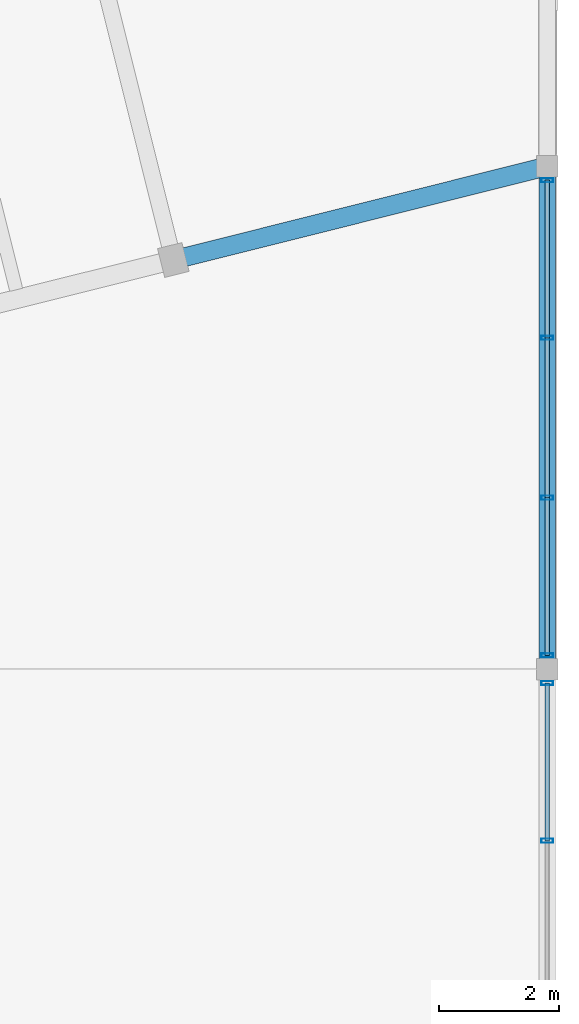
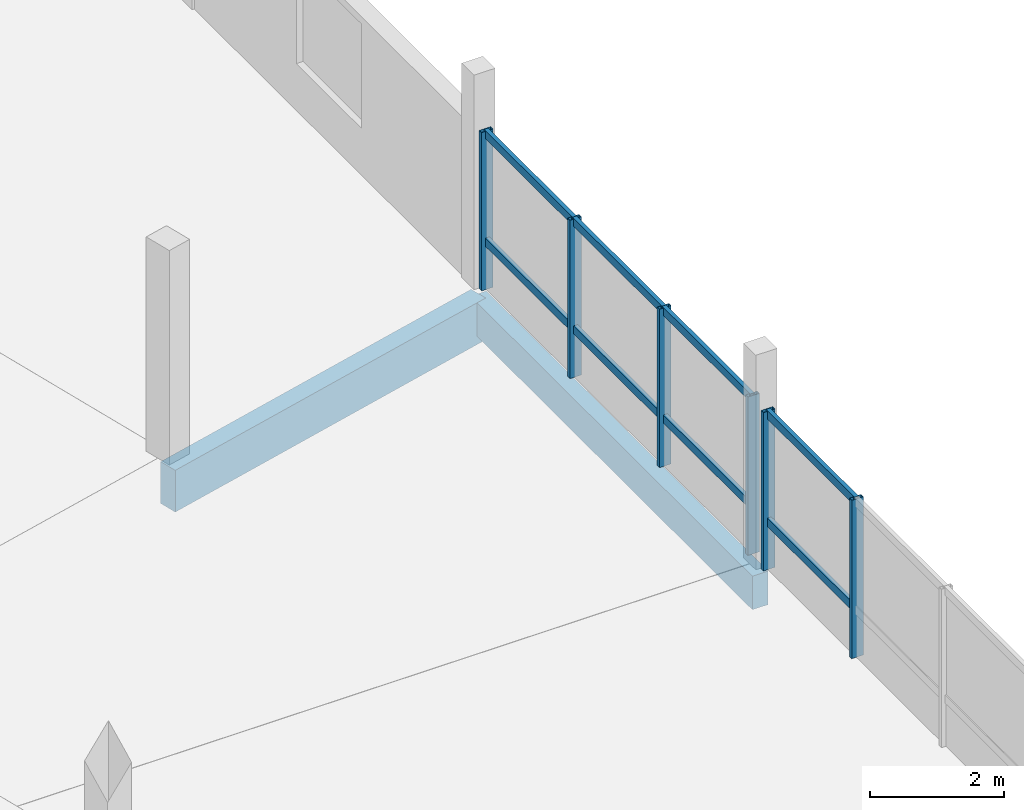
# One storey, part 21 of 39: 14 members, 2 beams, 2 elements without a shape of their own.
"""IFC4 building model written with IfcOpenShell, lengths in metres."""

from ifc_helpers import new_model, si_unit, direction, frame, origin, origin_2d, place, context, subcontext, project, spatial, rectangle, hollow_rectangle, extrude, material, layer, layer_set, material_profile, profile_set, type_object, element, aggregate, save


model = new_model("IFC4")

# Units and contexts
model_context = context("Model", 3, precision=1e-05, world=origin(), true_north=direction((0.0, 1.0)))
body_context = subcontext(model_context, "Body", "Model", "MODEL_VIEW")
ifc_project = project(units=[si_unit("LENGTHUNIT", "METRE"), si_unit("AREAUNIT", "SQUARE_METRE"), si_unit("VOLUMEUNIT", "CUBIC_METRE"), si_unit("PLANEANGLEUNIT", "RADIAN"), si_unit("MASSUNIT", "GRAM", prefix="KILO")], contexts=[model_context])

# Site, building, storey
site_placement = place(None, origin())
site = spatial("IfcSite", under=ifc_project, at=site_placement, CompositionType="ELEMENT")
building_placement = place(site_placement, origin())
building = spatial("IfcBuilding", under=site, at=building_placement, Name="Meriwether Solvik Hall", CompositionType="ELEMENT")
storey_placement = place(building_placement, frame((0.0, 0.0, 22.199951171875)))
storey = spatial("IfcBuildingStorey", under=building, at=storey_placement, Name="L05", CompositionType="ELEMENT", Elevation=22.199951171875)

# Beams
ifc_material_1 = material(Name="Glulam Douglas-Fir 24F-V8 GL28h", Category="wood")
ifc_material_profile_1 = material_profile(ifc_material_1, rectangle(XDim=0.27294921875, YDim=0.610107421875, at=origin_2d()), Name="GLB-273X610")
ifc_profile_set_1 = profile_set([ifc_material_profile_1], Name="Glulam Douglas-Fir 24F-V8 GL28h")
beam_type_1 = type_object("IfcBeamType", Name="BM-GL-273X610", PredefinedType="SPANDREL", material=ifc_profile_set_1)
beam_1_placement = place(storey_placement, frame((114.199951171875, 58.39990234375, -0.550048828125), z_axis=(0.0, 1.0, 0.0), x_axis=(-1.0, 0.0, 0.0)))
element("IfcBeam", 1, at=beam_1_placement, inside=storey, type_object=beam_type_1, Name="Podium Girder 13:G-H (L05)", PredefinedType="SPANDREL", context=body_context, shape_type="SweptSolid", body=[
    extrude(rectangle(XDim=0.27294921875, YDim=0.610107421875, at=origin_2d()), origin(), (0.0, 0.0, 1.0), 8.400146484375),
])
ifc_material_2 = material(Name="Glulam Douglas-Fir 24F-V8 GL28h", Category="wood")
ifc_material_profile_2 = material_profile(ifc_material_2, rectangle(XDim=0.31494140625, YDim=0.760009765625, at=origin_2d()), Name="GLB-315X760")
ifc_profile_set_2 = profile_set([ifc_material_profile_2], Name="Glulam Douglas-Fir 24F-V8 GL28h")
beam_type_2 = type_object("IfcBeamType", Name="BM-GL-315X760", PredefinedType="BEAM", material=ifc_profile_set_2)
beam_2_placement = place(storey_placement, frame((107.95458984375, 65.234619140625, -0.625), z_axis=(0.969992872522, 0.243133352825, 0.0), x_axis=(-0.243133352825, 0.969992872522, 0.0)))
element("IfcBeam", 2, at=beam_2_placement, inside=storey, type_object=beam_type_2, Name="Diaphragm Collector Girder T7/TC-13/H (L05)", PredefinedType="BEAM", context=body_context, shape_type="SweptSolid", body=[
    extrude(rectangle(XDim=0.31494140625, YDim=0.760009765625, at=origin_2d()), origin(), (0.0, 0.0, 1.0), 6.4384765625),
])

# Curtain wall, members
ifc_material_3 = material(Name="Thermally Broken Anodised Aluminium 6063-T6 and Low-E Glass", Category="aluminium")
ifc_layer = layer(ifc_material_3, 0.179931640625)
ifc_layer_set = layer_set([ifc_layer], Name="Thermally Broken Anodised Aluminium 6063-T6 and Low-E Glass")
curtain_wall_type = type_object("IfcCurtainWallType", Name="CW-UNIT-E", PredefinedType="USERDEFINED", material=ifc_layer_set)
curtain_wall_1_placement = place(storey_placement, origin())
curtain_wall_1 = element("IfcCurtainWall", 3, at=curtain_wall_1_placement, inside=storey, type_object=curtain_wall_type, Name="Curtain Wall wing_Y13_6_19 (L05)", ObjectType="UNITISED CURTAIN WALL", PredefinedType="USERDEFINED")
ifc_material_4 = material(Name="Anodised Aluminium 6063-T6", Category="aluminium")
ifc_material_profile_3 = material_profile(ifc_material_4, hollow_rectangle(XDim=0.070068359375, YDim=0.199951171875, WallThickness=0.0048828125, at=origin_2d()), Name="CWM-70X200")
ifc_profile_set_3 = profile_set([ifc_material_profile_3], Name="Anodised Aluminium 6063-T6")
member_type_1 = type_object("IfcMemberType", Name="CW-MUL-70X200", PredefinedType="MULLION", material=ifc_profile_set_3)
member_1_placement = place(storey_placement, frame((114.199951171875, 58.16748046875, 0.0), z_axis=(0.0, 0.0, 1.0), x_axis=(0.0, -1.0, 0.0)))
member_1 = element("IfcMember", 4, at=member_1_placement, type_object=member_type_1, Name="Curtain Wall Mullion 1", PredefinedType="MULLION", context=body_context, shape_type="SweptSolid", body=[
    extrude(hollow_rectangle(XDim=0.070068359375, YDim=0.199951171875, WallThickness=0.0048828125, at=origin_2d()), origin(), (0.0, 0.0, 1.0), 2.880126953125),
])
member_2_placement = place(storey_placement, frame((114.199951171875, 55.53515625, 0.0), z_axis=(0.0, 0.0, 1.0), x_axis=(0.0, -1.0, 0.0)))
member_2 = element("IfcMember", 5, at=member_2_placement, type_object=member_type_1, Name="Curtain Wall Mullion 2", PredefinedType="MULLION", context=body_context, shape_type="SweptSolid", body=[
    extrude(hollow_rectangle(XDim=0.070068359375, YDim=0.199951171875, WallThickness=0.0048828125, at=origin_2d()), origin(), (0.0, 0.0, 1.0), 2.880126953125),
])

curtain_wall_2_placement = place(storey_placement, origin())
curtain_wall_2 = element("IfcCurtainWall", 6, at=curtain_wall_2_placement, inside=storey, type_object=curtain_wall_type, Name="Curtain Wall wing_Y13_7_20 (L05)", ObjectType="UNITISED CURTAIN WALL", PredefinedType="USERDEFINED")
member_3_placement = place(storey_placement, frame((114.199951171875, 66.5673828125, 0.0), z_axis=(0.0, 0.0, 1.0), x_axis=(0.0, -1.0, 0.0)))
member_3 = element("IfcMember", 7, at=member_3_placement, type_object=member_type_1, Name="Curtain Wall Mullion 1", PredefinedType="MULLION", context=body_context, shape_type="SweptSolid", body=[
    extrude(hollow_rectangle(XDim=0.070068359375, YDim=0.199951171875, WallThickness=0.0048828125, at=origin_2d()), origin(), (0.0, 0.0, 1.0), 2.880126953125),
])
member_4_placement = place(storey_placement, frame((114.199951171875, 63.93505859375, 0.0), z_axis=(0.0, 0.0, 1.0), x_axis=(0.0, -1.0, 0.0)))
member_4 = element("IfcMember", 8, at=member_4_placement, type_object=member_type_1, Name="Curtain Wall Mullion 2", PredefinedType="MULLION", context=body_context, shape_type="SweptSolid", body=[
    extrude(hollow_rectangle(XDim=0.070068359375, YDim=0.199951171875, WallThickness=0.0048828125, at=origin_2d()), origin(), (0.0, 0.0, 1.0), 2.880126953125),
])
member_5_placement = place(storey_placement, frame((114.199951171875, 61.264892578125, 0.0), z_axis=(0.0, 0.0, 1.0), x_axis=(0.0, -1.0, 0.0)))
member_5 = element("IfcMember", 9, at=member_5_placement, type_object=member_type_1, Name="Curtain Wall Mullion 3", PredefinedType="MULLION", context=body_context, shape_type="SweptSolid", body=[
    extrude(hollow_rectangle(XDim=0.070068359375, YDim=0.199951171875, WallThickness=0.0048828125, at=origin_2d()), origin(), (0.0, 0.0, 1.0), 2.880126953125),
])
member_6_placement = place(storey_placement, frame((114.199951171875, 58.632568359375, 0.0), z_axis=(0.0, 0.0, 1.0), x_axis=(0.0, -1.0, 0.0)))
member_6 = element("IfcMember", 10, at=member_6_placement, type_object=member_type_1, Name="Curtain Wall Mullion 4", PredefinedType="MULLION", context=body_context, shape_type="SweptSolid", body=[
    extrude(hollow_rectangle(XDim=0.070068359375, YDim=0.199951171875, WallThickness=0.0048828125, at=origin_2d()), origin(), (0.0, 0.0, 1.0), 2.880126953125),
])

# Member
ifc_material_5 = material(Name="Anodised Aluminium 6063-T6", Category="aluminium")
ifc_material_profile_4 = material_profile(ifc_material_5, hollow_rectangle(XDim=0.070068359375, YDim=0.14990234375, WallThickness=0.0048828125, at=origin_2d()), Name="CWT-70X150")
ifc_profile_set_4 = profile_set([ifc_material_profile_4], Name="Anodised Aluminium 6063-T6")
member_type_2 = type_object("IfcMemberType", Name="CW-TRN-70X150", PredefinedType="USERDEFINED", material=ifc_profile_set_4)
member_7_placement = place(storey_placement, frame((114.199951171875, 58.16748046875, 0.864013671875), z_axis=(0.0, -1.0, 0.0), x_axis=(1.0, 0.0, 0.0)))
member_7 = element("IfcMember", 11, at=member_7_placement, type_object=member_type_2, Name="Curtain Wall Transom 1-sill", ObjectType="TRANSOM", PredefinedType="USERDEFINED", context=body_context, shape_type="SweptSolid", body=[
    extrude(hollow_rectangle(XDim=0.070068359375, YDim=0.14990234375, WallThickness=0.0048828125, at=origin_2d()), origin(), (0.0, 0.0, 1.0), 2.63232421875),
])

member_8_placement = place(storey_placement, frame((114.199951171875, 58.16748046875, 2.820068359375), z_axis=(0.0, -1.0, 0.0), x_axis=(1.0, 0.0, 0.0)))
member_8 = element("IfcMember", 12, at=member_8_placement, type_object=member_type_2, Name="Curtain Wall Transom 1-head", ObjectType="TRANSOM", PredefinedType="USERDEFINED", context=body_context, shape_type="SweptSolid", body=[
    extrude(hollow_rectangle(XDim=0.070068359375, YDim=0.14990234375, WallThickness=0.0048828125, at=origin_2d()), origin(), (0.0, 0.0, 1.0), 2.63232421875),
])

aggregate(curtain_wall_1, [member_1, member_2, member_7, member_8])

member_9_placement = place(storey_placement, frame((114.199951171875, 66.5673828125, 0.864013671875), z_axis=(0.0, -1.0, 0.0), x_axis=(1.0, 0.0, 0.0)))
member_9 = element("IfcMember", 13, at=member_9_placement, type_object=member_type_2, Name="Curtain Wall Transom 1-sill", ObjectType="TRANSOM", PredefinedType="USERDEFINED", context=body_context, shape_type="SweptSolid", body=[
    extrude(hollow_rectangle(XDim=0.070068359375, YDim=0.14990234375, WallThickness=0.0048828125, at=origin_2d()), origin(), (0.0, 0.0, 1.0), 2.63232421875),
])

member_10_placement = place(storey_placement, frame((114.199951171875, 66.5673828125, 2.820068359375), z_axis=(0.0, -1.0, 0.0), x_axis=(1.0, 0.0, 0.0)))
member_10 = element("IfcMember", 14, at=member_10_placement, type_object=member_type_2, Name="Curtain Wall Transom 1-head", ObjectType="TRANSOM", PredefinedType="USERDEFINED", context=body_context, shape_type="SweptSolid", body=[
    extrude(hollow_rectangle(XDim=0.070068359375, YDim=0.14990234375, WallThickness=0.0048828125, at=origin_2d()), origin(), (0.0, 0.0, 1.0), 2.63232421875),
])

member_11_placement = place(storey_placement, frame((114.199951171875, 63.93505859375, 0.864013671875), z_axis=(0.0, -1.0, 0.0), x_axis=(1.0, 0.0, 0.0)))
member_11 = element("IfcMember", 15, at=member_11_placement, type_object=member_type_2, Name="Curtain Wall Transom 2-sill", ObjectType="TRANSOM", PredefinedType="USERDEFINED", context=body_context, shape_type="SweptSolid", body=[
    extrude(hollow_rectangle(XDim=0.070068359375, YDim=0.14990234375, WallThickness=0.0048828125, at=origin_2d()), origin(), (0.0, 0.0, 1.0), 2.670166015625),
])

member_12_placement = place(storey_placement, frame((114.199951171875, 63.93505859375, 2.820068359375), z_axis=(0.0, -1.0, 0.0), x_axis=(1.0, 0.0, 0.0)))
member_12 = element("IfcMember", 16, at=member_12_placement, type_object=member_type_2, Name="Curtain Wall Transom 2-head", ObjectType="TRANSOM", PredefinedType="USERDEFINED", context=body_context, shape_type="SweptSolid", body=[
    extrude(hollow_rectangle(XDim=0.070068359375, YDim=0.14990234375, WallThickness=0.0048828125, at=origin_2d()), origin(), (0.0, 0.0, 1.0), 2.670166015625),
])

member_13_placement = place(storey_placement, frame((114.199951171875, 61.264892578125, 0.864013671875), z_axis=(0.0, -1.0, 0.0), x_axis=(1.0, 0.0, 0.0)))
member_13 = element("IfcMember", 17, at=member_13_placement, type_object=member_type_2, Name="Curtain Wall Transom 3-sill", ObjectType="TRANSOM", PredefinedType="USERDEFINED", context=body_context, shape_type="SweptSolid", body=[
    extrude(hollow_rectangle(XDim=0.070068359375, YDim=0.14990234375, WallThickness=0.0048828125, at=origin_2d()), origin(), (0.0, 0.0, 1.0), 2.63232421875),
])

member_14_placement = place(storey_placement, frame((114.199951171875, 61.264892578125, 2.820068359375), z_axis=(0.0, -1.0, 0.0), x_axis=(1.0, 0.0, 0.0)))
member_14 = element("IfcMember", 18, at=member_14_placement, type_object=member_type_2, Name="Curtain Wall Transom 3-head", ObjectType="TRANSOM", PredefinedType="USERDEFINED", context=body_context, shape_type="SweptSolid", body=[
    extrude(hollow_rectangle(XDim=0.070068359375, YDim=0.14990234375, WallThickness=0.0048828125, at=origin_2d()), origin(), (0.0, 0.0, 1.0), 2.63232421875),
])

aggregate(curtain_wall_2, [member_3, member_4, member_5, member_6, member_9, member_10, member_11, member_12, member_13, member_14])

save(model, "model.ifc")
